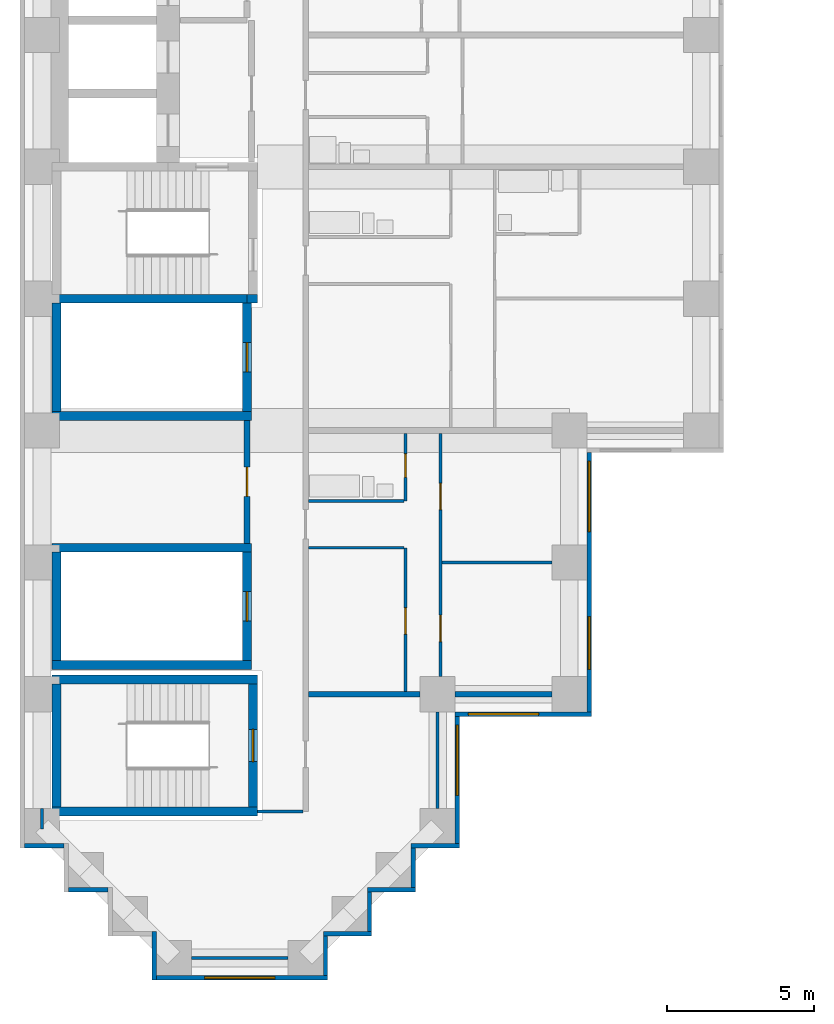
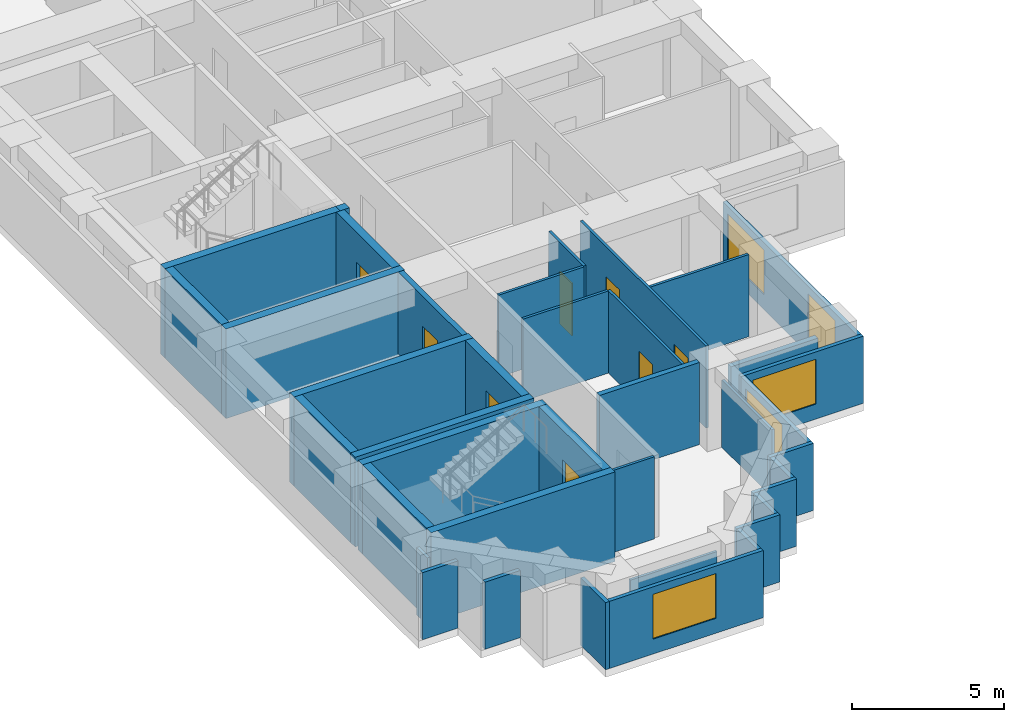
# One storey, part 2 of 11: 39 walls, 8 doors, 5 windows, 13 openings.
"""IFC4 building model written with IfcOpenShell, lengths in metres."""

from ifc_helpers import new_model, si_unit, direction, frame, frame_2d, origin, place, context, subcontext, project, spatial, rectangle, extrude, material, layer, layer_set, type_object, element, fill, save


model = new_model("IFC4")

# Units and contexts
model_context = context("Model", 3, precision=1e-05, world=origin(), true_north=direction((0.0, 1.0)))
body_context = subcontext(model_context, "Body", "Model", "MODEL_VIEW")
ifc_project = project(units=[si_unit("LENGTHUNIT", "METRE"), si_unit("AREAUNIT", "SQUARE_METRE"), si_unit("VOLUMEUNIT", "CUBIC_METRE"), si_unit("PLANEANGLEUNIT", "RADIAN"), si_unit("MASSUNIT", "GRAM", prefix="KILO")], contexts=[model_context])

# Site, building, storey
site_placement = place(None, origin())
site = spatial("IfcSite", under=ifc_project, at=site_placement, CompositionType="ELEMENT")
building_placement = place(site_placement, origin())
building = spatial("IfcBuilding", under=site, at=building_placement, Name="Firuza Court", CompositionType="ELEMENT")
storey_placement = place(building_placement, frame((0.0, 0.0, 57.800048828125)))
storey = spatial("IfcBuildingStorey", under=building, at=storey_placement, Name="L13", CompositionType="ELEMENT", Elevation=57.800048828125)

# Walls
ifc_material_1 = material(Name="Moisture-resistant gypsum board partition")
ifc_layer_1 = layer(ifc_material_1, 0.10009765625)
ifc_layer_set_1 = layer_set([ifc_layer_1], Name="Moisture-resistant gypsum board partition")
wall_type_1 = type_object("IfcWallType", Name="Bathroom partition 100", PredefinedType="PLUMBINGWALL", material=ifc_layer_set_1)
wall_1_placement = place(storey_placement, frame((9.10009765625, 15.60009765625, 0.0), z_axis=(0.0, 0.0, 1.0), x_axis=(1.0, 0.0, 0.0)))
element("IfcWall", 1, at=wall_1_placement, inside=storey, type_object=wall_type_1, Name="Bathroom partition 100 L13", PredefinedType="PLUMBINGWALL", context=body_context, shape_type="SweptSolid", body=[
    extrude(rectangle(XDim=3.25, YDim=0.10009765625, at=frame_2d((1.625, 0.0))), origin(), (0.0, 0.0, 1.0), 3.300048828125),
])
ifc_material_2 = material(Name="Concrete C60/75", Category="concrete")
ifc_layer_2 = layer(ifc_material_2, 0.300048828125)
ifc_layer_set_2 = layer_set([ifc_layer_2], Name="Concrete C60/75")
wall_type_2 = type_object("IfcWallType", Name="Core wall 300 C60/75", PredefinedType="SHEAR", material=ifc_layer_set_2)
for number, where, z_axis, x_axis, name in (
    (2, (0.35009765625, 5.0, -0.300048828125), (0.0, 0.0, 1.0), (1.0, 0.0, 0.0), "Core wall stair L13"),
    (3, (0.35009765625, 9.5, -0.300048828125), (0.0, 0.0, 1.0), (1.0, 0.0, 0.0), "Core wall stair L13"),
):
    element("IfcWall", number, at=place(storey_placement, frame(where, z_axis=z_axis, x_axis=x_axis)), inside=storey, type_object=wall_type_2, Name=name, PredefinedType="SHEAR", context=body_context, shape_type="SweptSolid", body=[
        extrude(rectangle(XDim=7.0, YDim=0.300048828125, at=frame_2d((3.5, 0.0))), origin(), (0.0, 0.0, 1.0), 3.60009765625),
    ])
for number, where, z_axis, x_axis, name in (
    (4, (0.35009765625, 10.0, -0.300048828125), (0.0, 0.0, 1.0), (1.0, 0.0, 0.0), "Core wall riser L13"),
    (5, (0.35009765625, 14.0, -0.300048828125), (0.0, 0.0, 1.0), (1.0, 0.0, 0.0), "Core wall riser L13"),
    (6, (0.35009765625, 18.5, -0.300048828125), (0.0, 0.0, 1.0), (1.0, 0.0, 0.0), "Core wall riser L13"),
):
    element("IfcWall", number, at=place(storey_placement, frame(where, z_axis=z_axis, x_axis=x_axis)), inside=storey, type_object=wall_type_2, Name=name, PredefinedType="SHEAR", context=body_context, shape_type="SweptSolid", body=[
        extrude(rectangle(XDim=6.7998046875, YDim=0.300048828125, at=frame_2d((3.39990234375, 0.0))), origin(), (0.0, 0.0, 1.0), 3.60009765625),
    ])
wall_2_placement = place(storey_placement, frame((0.35009765625, 22.5, -0.300048828125), z_axis=(0.0, 0.0, 1.0), x_axis=(1.0, 0.0, 0.0)))
element("IfcWall", 7, at=wall_2_placement, inside=storey, type_object=wall_type_2, Name="Core wall riser L13", PredefinedType="SHEAR", context=body_context, shape_type="SweptSolid", body=[
    extrude(rectangle(XDim=6.64990234375, YDim=0.300048828125, at=frame_2d((3.324951171875, 0.0))), origin(), (0.0, 0.0, 1.0), 3.60009765625),
])
wall_3_placement = place(storey_placement, frame((0.5, 5.14990234375, -0.300048828125), z_axis=(0.0, 0.0, 1.0), x_axis=(0.0, 1.0, 0.0)))
element("IfcWall", 8, at=wall_3_placement, inside=storey, type_object=wall_type_2, Name="Core wall stair L13", PredefinedType="SHEAR", context=body_context, shape_type="SweptSolid", body=[
    extrude(rectangle(XDim=4.2001953125, YDim=0.300048828125, at=frame_2d((2.10009765625, 0.0))), origin(), (0.0, 0.0, 1.0), 3.60009765625),
])
for number, where, z_axis, x_axis, name in (
    (9, (0.5, 10.14990234375, -0.300048828125), (0.0, 0.0, 1.0), (0.0, 1.0, 0.0), "Core wall riser L13"),
    (10, (0.5, 18.64990234375, -0.300048828125), (0.0, 0.0, 1.0), (0.0, 1.0, 0.0), "Core wall riser L13"),
):
    element("IfcWall", number, at=place(storey_placement, frame(where, z_axis=z_axis, x_axis=x_axis)), inside=storey, type_object=wall_type_2, Name=name, PredefinedType="SHEAR", context=body_context, shape_type="SweptSolid", body=[
        extrude(rectangle(XDim=3.7001953125, YDim=0.300048828125, at=frame_2d((1.85009765625, 0.0))), origin(), (0.0, 0.0, 1.0), 3.60009765625),
    ])

# Wall, opening, door
wall_4_placement = place(storey_placement, frame((7.0, 10.14990234375, -0.300048828125), z_axis=(0.0, 0.0, 1.0), x_axis=(0.0, 1.0, 0.0)))
wall_4 = element("IfcWall", 11, at=wall_4_placement, inside=storey, type_object=wall_type_2, Name="Core wall riser L13", PredefinedType="SHEAR", context=body_context, shape_type="SweptSolid", body=[
    extrude(rectangle(XDim=3.7001953125, YDim=0.300048828125, at=frame_2d((1.85009765625, 0.0))), origin(), (0.0, 0.0, 1.0), 3.60009765625),
])
opening_1_placement = place(wall_4_placement, frame((1.35009765625, 0.0, 0.300048828125)))
opening_1 = element("IfcOpeningElement", 12, at=opening_1_placement, cuts=wall_4, Name="Opening D13012", PredefinedType="OPENING", context=body_context, shape_type="SweptSolid", body=[
    extrude(rectangle(XDim=1.0, YDim=2.10009765625, at=frame_2d((0.5, 1.050048828125))), frame((0.0, 0.162109375, 0.0), z_axis=(0.0, -1.0, 0.0), x_axis=(1.0, 0.0, 0.0)), (0.0, 0.0, 1.0), 0.323974609375),
])
ifc_material_3 = material(Name="Timber door leaf in hardwood frame", Category="wood")
door_type_1 = type_object("IfcDoorType", Name="Riser door 1000", OperationType="SINGLE_SWING_LEFT", PredefinedType="DOOR", material=ifc_material_3)
door_1_placement = place(opening_1_placement, origin())
door_1 = element("IfcDoor", 13, at=door_1_placement, inside=storey, type_object=door_type_1, Name="Riser door R4", OperationType="SINGLE_SWING_LEFT", OverallHeight=2.10009765625, OverallWidth=1.0, PredefinedType="DOOR", context=body_context, shape_type="SweptSolid", body=[
    extrude(rectangle(XDim=1.0, YDim=2.10009765625, at=frame_2d((0.5, 1.050048828125))), frame((0.0, 0.02490234375, 0.0), z_axis=(0.0, -1.0, 0.0), x_axis=(1.0, 0.0, 0.0)), (0.0, 0.0, 1.0), 0.050048828125),
])
fill(opening_1, door_1)

wall_5_placement = place(storey_placement, frame((7.0, 18.64990234375, -0.300048828125), z_axis=(0.0, 0.0, 1.0), x_axis=(0.0, 1.0, 0.0)))
wall_5 = element("IfcWall", 14, at=wall_5_placement, inside=storey, type_object=wall_type_2, Name="Core wall riser L13", PredefinedType="SHEAR", context=body_context, shape_type="SweptSolid", body=[
    extrude(rectangle(XDim=3.7001953125, YDim=0.300048828125, at=frame_2d((1.85009765625, 0.0))), origin(), (0.0, 0.0, 1.0), 3.60009765625),
])
opening_2_placement = place(wall_5_placement, frame((1.35009765625, 0.0, 0.300048828125)))
opening_2 = element("IfcOpeningElement", 15, at=opening_2_placement, cuts=wall_5, Name="Opening D13010", PredefinedType="OPENING", context=body_context, shape_type="SweptSolid", body=[
    extrude(rectangle(XDim=1.0, YDim=2.10009765625, at=frame_2d((0.5, 1.050048828125))), frame((0.0, 0.162109375, 0.0), z_axis=(0.0, -1.0, 0.0), x_axis=(1.0, 0.0, 0.0)), (0.0, 0.0, 1.0), 0.323974609375),
])
door_2_placement = place(opening_2_placement, origin())
door_2 = element("IfcDoor", 16, at=door_2_placement, inside=storey, type_object=door_type_1, Name="Riser door R1", OperationType="SINGLE_SWING_LEFT", OverallHeight=2.10009765625, OverallWidth=1.0, PredefinedType="DOOR", context=body_context, shape_type="SweptSolid", body=[
    extrude(rectangle(XDim=1.0, YDim=2.10009765625, at=frame_2d((0.5, 1.050048828125))), frame((0.0, 0.02490234375, 0.0), z_axis=(0.0, -1.0, 0.0), x_axis=(1.0, 0.0, 0.0)), (0.0, 0.0, 1.0), 0.050048828125),
])
fill(opening_2, door_2)

# Wall
wall_6_placement = place(storey_placement, frame((7.0, 22.5, -0.300048828125), z_axis=(0.0, 0.0, 1.0), x_axis=(1.0, 0.0, 0.0)))
element("IfcWall", 17, at=wall_6_placement, inside=storey, type_object=wall_type_2, Name="Core wall stair L13", PredefinedType="SHEAR", context=body_context, shape_type="SweptSolid", body=[
    extrude(rectangle(XDim=0.35009765625, YDim=0.300048828125, at=frame_2d((0.175048828125, 0.0))), origin(), (0.0, 0.0, 1.0), 3.60009765625),
])

# Wall, opening, door
wall_7_placement = place(storey_placement, frame((7.199951171875, 5.14990234375, -0.300048828125), z_axis=(0.0, 0.0, 1.0), x_axis=(0.0, 1.0, 0.0)))
wall_7 = element("IfcWall", 18, at=wall_7_placement, inside=storey, type_object=wall_type_2, Name="Core wall stair L13", PredefinedType="SHEAR", context=body_context, shape_type="SweptSolid", body=[
    extrude(rectangle(XDim=4.2001953125, YDim=0.300048828125, at=frame_2d((2.10009765625, 0.0))), origin(), (0.0, 0.0, 1.0), 3.60009765625),
])
opening_3_placement = place(wall_7_placement, frame((1.550048828125, 0.0, 0.300048828125)))
opening_3 = element("IfcOpeningElement", 19, at=opening_3_placement, cuts=wall_7, Name="Opening D13018", PredefinedType="OPENING", context=body_context, shape_type="SweptSolid", body=[
    extrude(rectangle(XDim=1.10009765625, YDim=2.10009765625, at=frame_2d((0.550048828125, 1.050048828125))), frame((0.0, 0.162109375, 0.0), z_axis=(0.0, -1.0, 0.0), x_axis=(1.0, 0.0, 0.0)), (0.0, 0.0, 1.0), 0.323974609375),
])
ifc_material_4 = material(Name="Timber door leaf in hardwood frame", Category="wood")
door_type_2 = type_object("IfcDoorType", Name="Stair door 1100", OperationType="SINGLE_SWING_LEFT", PredefinedType="DOOR", material=ifc_material_4)
door_3_placement = place(opening_3_placement, origin())
door_3 = element("IfcDoor", 20, at=door_3_placement, inside=storey, type_object=door_type_2, Name="Stair door S5", OperationType="SINGLE_SWING_LEFT", OverallHeight=2.10009765625, OverallWidth=1.10009765625, PredefinedType="DOOR", context=body_context, shape_type="SweptSolid", body=[
    extrude(rectangle(XDim=1.10009765625, YDim=2.10009765625, at=frame_2d((0.550048828125, 1.050048828125))), frame((0.0, 0.02490234375, 0.0), z_axis=(0.0, -1.0, 0.0), x_axis=(1.0, 0.0, 0.0)), (0.0, 0.0, 1.0), 0.050048828125),
])
fill(opening_3, door_3)

ifc_material_5 = material(Name="Blockwork, plastered both sides", Category="masonry")
ifc_layer_3 = layer(ifc_material_5, 0.199951171875)
ifc_layer_set_3 = layer_set([ifc_layer_3], Name="Blockwork, plastered both sides")
wall_type_3 = type_object("IfcWallType", Name="Corridor wall 200", PredefinedType="PARTITIONING", material=ifc_layer_set_3)
wall_8_placement = place(storey_placement, frame((7.0, 14.14990234375, 0.0), z_axis=(0.0, 0.0, 1.0), x_axis=(0.0, 1.0, 0.0)))
wall_8 = element("IfcWall", 21, at=wall_8_placement, inside=storey, type_object=wall_type_3, Name="Corridor wall 200 L13", PredefinedType="PARTITIONING", context=body_context, shape_type="SweptSolid", body=[
    extrude(rectangle(XDim=4.2001953125, YDim=0.199951171875, at=frame_2d((2.10009765625, 0.0))), origin(), (0.0, 0.0, 1.0), 3.300048828125),
])
opening_4_placement = place(wall_8_placement, frame((1.60009765625, 0.0, 0.0)))
opening_4 = element("IfcOpeningElement", 22, at=opening_4_placement, cuts=wall_8, Name="Opening D13028", PredefinedType="OPENING", context=body_context, shape_type="SweptSolid", body=[
    extrude(rectangle(XDim=1.0, YDim=2.10009765625, at=frame_2d((0.5, 1.050048828125))), frame((0.0, 0.11181640625, 0.0), z_axis=(0.0, -1.0, 0.0), x_axis=(1.0, 0.0, 0.0)), (0.0, 0.0, 1.0), 0.223876953125),
])
ifc_material_6 = material(Name="Timber door leaf in hardwood frame", Category="wood")
door_type_3 = type_object("IfcDoorType", Name="Store door 1000", OperationType="SINGLE_SWING_LEFT", PredefinedType="DOOR", material=ifc_material_6)
door_4_placement = place(opening_4_placement, origin())
door_4 = element("IfcDoor", 23, at=door_4_placement, inside=storey, type_object=door_type_3, Name="Cleaner's store door", OperationType="SINGLE_SWING_LEFT", OverallHeight=2.10009765625, OverallWidth=1.0, PredefinedType="DOOR", context=body_context, shape_type="SweptSolid", body=[
    extrude(rectangle(XDim=1.0, YDim=2.10009765625, at=frame_2d((0.5, 1.050048828125))), frame((0.0, 0.02490234375, 0.0), z_axis=(0.0, -1.0, 0.0), x_axis=(1.0, 0.0, 0.0)), (0.0, 0.0, 1.0), 0.050048828125),
])
fill(opening_4, door_4)

# Walls
ifc_material_7 = material(Name="Timber stud partition, plasterboard both sides", Category="wood")
ifc_layer_4 = layer(ifc_material_7, 0.10009765625)
ifc_layer_set_4 = layer_set([ifc_layer_4], Name="Timber stud partition, plasterboard both sides")
wall_type_4 = type_object("IfcWallType", Name="Partition wall 100", PredefinedType="PARTITIONING", material=ifc_layer_set_4)
wall_9_placement = place(storey_placement, frame((5.10009765625, 0.0, 0.0), z_axis=(0.0, 0.0, 1.0), x_axis=(1.0, 0.0, 0.0)))
element("IfcWall", 24, at=wall_9_placement, inside=storey, type_object=wall_type_4, Name="Partition wall 100 L13", PredefinedType="PARTITIONING", context=body_context, shape_type="SweptSolid", body=[
    extrude(rectangle(XDim=3.2998046875, YDim=0.10009765625, at=frame_2d((1.64990234375, 0.0))), origin(), (0.0, 0.0, 1.0), 2.699951171875),
])
wall_10_placement = place(storey_placement, frame((0.0, 4.39990234375, 0.0), z_axis=(0.0, 0.0, 1.0), x_axis=(0.0, 1.0, 0.0)))
element("IfcWall", 25, at=wall_10_placement, inside=storey, type_object=wall_type_4, Name="Partition wall 100 L13", PredefinedType="PARTITIONING", context=body_context, shape_type="SweptSolid", body=[
    extrude(rectangle(XDim=0.7001953125, YDim=0.10009765625, at=frame_2d((0.35009765625, 0.0))), origin(), (0.0, 0.0, 1.0), 2.699951171875),
])
wall_11_placement = place(storey_placement, frame((7.34912109375, 5.0, 0.0), z_axis=(0.0, 0.0, 1.0), x_axis=(1.0, 0.0, 0.0)))
element("IfcWall", 26, at=wall_11_placement, inside=storey, type_object=wall_type_4, Name="Partition wall 100 L13", PredefinedType="PARTITIONING", context=body_context, shape_type="SweptSolid", body=[
    extrude(rectangle(XDim=1.55078125, YDim=0.10009765625, at=frame_2d((0.775390625, 0.0))), origin(), (0.0, 0.0, 1.0), 3.300048828125),
])
wall_12_placement = place(storey_placement, frame((13.5, 5.10009765625, 0.0), z_axis=(0.0, 0.0, 1.0), x_axis=(0.0, 1.0, 0.0)))
element("IfcWall", 27, at=wall_12_placement, inside=storey, type_object=wall_type_4, Name="Partition wall 100 L13", PredefinedType="PARTITIONING", context=body_context, shape_type="SweptSolid", body=[
    extrude(rectangle(XDim=3.2998046875, YDim=0.10009765625, at=frame_2d((1.64990234375, 0.0))), origin(), (0.0, 0.0, 1.0), 2.699951171875),
])

# Wall, opening, door
wall_13_placement = place(storey_placement, frame((12.39990234375, 9.10009765625, 0.0), z_axis=(0.0, 0.0, 1.0), x_axis=(0.0, 1.0, 0.0)))
wall_13 = element("IfcWall", 28, at=wall_13_placement, inside=storey, type_object=wall_type_4, Name="Partition wall 100 L13", PredefinedType="PARTITIONING", context=body_context, shape_type="SweptSolid", body=[
    extrude(rectangle(XDim=4.89990234375, YDim=0.10009765625, at=frame_2d((2.449951171875, 0.0))), origin(), (0.0, 0.0, 1.0), 3.300048828125),
])
opening_5_placement = place(wall_13_placement, frame((1.949951171875, 0.0, 0.0)))
opening_5 = element("IfcOpeningElement", 29, at=opening_5_placement, cuts=wall_13, Name="Opening D13025", PredefinedType="OPENING", context=body_context, shape_type="SweptSolid", body=[
    extrude(rectangle(XDim=0.89990234375, YDim=2.10009765625, at=frame_2d((0.449951171875, 1.050048828125))), frame((0.0, 0.06201171875, 0.0), z_axis=(0.0, -1.0, 0.0), x_axis=(1.0, 0.0, 0.0)), (0.0, 0.0, 1.0), 0.1240234375),
])
ifc_material_8 = material(Name="Timber door leaf in hardwood frame", Category="wood")
door_type_4 = type_object("IfcDoorType", Name="Room door 900", OperationType="SINGLE_SWING_LEFT", PredefinedType="DOOR", material=ifc_material_8)
door_5_placement = place(opening_5_placement, origin())
door_5 = element("IfcDoor", 30, at=door_5_placement, inside=storey, type_object=door_type_4, Name="Kitchen door", OperationType="SINGLE_SWING_LEFT", OverallHeight=2.10009765625, OverallWidth=0.89990234375, PredefinedType="DOOR", context=body_context, shape_type="SweptSolid", body=[
    extrude(rectangle(XDim=0.89990234375, YDim=2.10009765625, at=frame_2d((0.449951171875, 1.050048828125))), frame((0.0, 0.02490234375, 0.0), z_axis=(0.0, -1.0, 0.0), x_axis=(1.0, 0.0, 0.0)), (0.0, 0.0, 1.0), 0.050048828125),
])
fill(opening_5, door_5)

# Wall, openings, doors
wall_14_placement = place(storey_placement, frame((13.60009765625, 9.60009765625, 0.0), z_axis=(0.0, 0.0, 1.0), x_axis=(0.0, 1.0, 0.0)))
wall_14 = element("IfcWall", 31, at=wall_14_placement, inside=storey, type_object=wall_type_4, Name="Partition wall 100 L13", PredefinedType="PARTITIONING", context=body_context, shape_type="SweptSolid", body=[
    extrude(rectangle(XDim=8.2998046875, YDim=0.10009765625, at=frame_2d((4.14990234375, 0.0))), origin(), (0.0, 0.0, 1.0), 3.300048828125),
])
opening_6_placement = place(wall_14_placement, frame((1.199951171875, 0.0, 0.0)))
opening_6 = element("IfcOpeningElement", 32, at=opening_6_placement, cuts=wall_14, Name="Opening D13026", PredefinedType="OPENING", context=body_context, shape_type="SweptSolid", body=[
    extrude(rectangle(XDim=0.89990234375, YDim=2.10009765625, at=frame_2d((0.449951171875, 1.050048828125))), frame((0.0, 0.06201171875, 0.0), z_axis=(0.0, -1.0, 0.0), x_axis=(1.0, 0.0, 0.0)), (0.0, 0.0, 1.0), 0.1240234375),
])
opening_7_placement = place(wall_14_placement, frame((5.699951171875, 0.0, 0.0)))
opening_7 = element("IfcOpeningElement", 33, at=opening_7_placement, cuts=wall_14, Name="Opening D13027", PredefinedType="OPENING", context=body_context, shape_type="SweptSolid", body=[
    extrude(rectangle(XDim=0.89990234375, YDim=2.10009765625, at=frame_2d((0.449951171875, 1.050048828125))), frame((0.0, 0.06201171875, 0.0), z_axis=(0.0, -1.0, 0.0), x_axis=(1.0, 0.0, 0.0)), (0.0, 0.0, 1.0), 0.1240234375),
])
door_6_placement = place(opening_6_placement, frame((0.89990234375, 0.0, 0.0), z_axis=(0.0, 0.0, 1.0), x_axis=(-1.0, 0.0, 0.0)))
door_6 = element("IfcDoor", 34, at=door_6_placement, inside=storey, type_object=door_type_4, Name="Living room door", OperationType="SINGLE_SWING_RIGHT", OverallHeight=2.10009765625, OverallWidth=0.89990234375, PredefinedType="DOOR", context=body_context, shape_type="SweptSolid", body=[
    extrude(rectangle(XDim=0.89990234375, YDim=2.10009765625, at=frame_2d((0.449951171875, 1.050048828125))), frame((0.0, 0.02490234375, 0.0), z_axis=(0.0, -1.0, 0.0), x_axis=(1.0, 0.0, 0.0)), (0.0, 0.0, 1.0), 0.050048828125),
])
fill(opening_6, door_6)
door_7_placement = place(opening_7_placement, frame((0.89990234375, 0.0, 0.0), z_axis=(0.0, 0.0, 1.0), x_axis=(-1.0, 0.0, 0.0)))
door_7 = element("IfcDoor", 35, at=door_7_placement, inside=storey, type_object=door_type_4, Name="Bedroom door", OperationType="SINGLE_SWING_RIGHT", OverallHeight=2.10009765625, OverallWidth=0.89990234375, PredefinedType="DOOR", context=body_context, shape_type="SweptSolid", body=[
    extrude(rectangle(XDim=0.89990234375, YDim=2.10009765625, at=frame_2d((0.449951171875, 1.050048828125))), frame((0.0, 0.02490234375, 0.0), z_axis=(0.0, -1.0, 0.0), x_axis=(1.0, 0.0, 0.0)), (0.0, 0.0, 1.0), 0.050048828125),
])
fill(opening_7, door_7)

# Walls
wall_15_placement = place(storey_placement, frame((13.64990234375, 13.5, 0.0), z_axis=(0.0, 0.0, 1.0), x_axis=(1.0, 0.0, 0.0)))
element("IfcWall", 36, at=wall_15_placement, inside=storey, type_object=wall_type_4, Name="Partition wall 100 L13", PredefinedType="PARTITIONING", context=body_context, shape_type="SweptSolid", body=[
    extrude(rectangle(XDim=3.75, YDim=0.10009765625, at=frame_2d((1.875, 0.0))), origin(), (0.0, 0.0, 1.0), 3.300048828125),
])
wall_16_placement = place(storey_placement, frame((9.10009765625, 14.0, 0.0), z_axis=(0.0, 0.0, 1.0), x_axis=(1.0, 0.0, 0.0)))
element("IfcWall", 37, at=wall_16_placement, inside=storey, type_object=wall_type_4, Name="Partition wall 100 L13", PredefinedType="PARTITIONING", context=body_context, shape_type="SweptSolid", body=[
    extrude(rectangle(XDim=3.25, YDim=0.10009765625, at=frame_2d((1.625, 0.0))), origin(), (0.0, 0.0, 1.0), 3.300048828125),
])

# Wall, opening, door
wall_17_placement = place(storey_placement, frame((12.39990234375, 15.60009765625, 0.0), z_axis=(0.0, 0.0, 1.0), x_axis=(0.0, 1.0, 0.0)))
wall_17 = element("IfcWall", 38, at=wall_17_placement, inside=storey, type_object=wall_type_4, Name="Partition wall 100 L13", PredefinedType="PARTITIONING", context=body_context, shape_type="SweptSolid", body=[
    extrude(rectangle(XDim=2.2998046875, YDim=0.10009765625, at=frame_2d((1.14990234375, 0.0))), origin(), (0.0, 0.0, 1.0), 3.300048828125),
])
opening_8_placement = place(wall_17_placement, frame((0.800048828125, 0.0, 0.0)))
opening_8 = element("IfcOpeningElement", 39, at=opening_8_placement, cuts=wall_17, Name="Opening D13029", PredefinedType="OPENING", context=body_context, shape_type="SweptSolid", body=[
    extrude(rectangle(XDim=0.800048828125, YDim=2.10009765625, at=frame_2d((0.39990234375, 1.050048828125))), frame((0.0, 0.06201171875, 0.0), z_axis=(0.0, -1.0, 0.0), x_axis=(1.0, 0.0, 0.0)), (0.0, 0.0, 1.0), 0.1240234375),
])
ifc_material_9 = material(Name="Timber door leaf in hardwood frame", Category="wood")
door_type_5 = type_object("IfcDoorType", Name="Bathroom door 800", OperationType="SINGLE_SWING_LEFT", PredefinedType="DOOR", material=ifc_material_9)
door_8_placement = place(opening_8_placement, origin())
door_8 = element("IfcDoor", 40, at=door_8_placement, inside=storey, type_object=door_type_5, Name="Bathroom door", OperationType="SINGLE_SWING_LEFT", OverallHeight=2.10009765625, OverallWidth=0.800048828125, PredefinedType="DOOR", context=body_context, shape_type="SweptSolid", body=[
    extrude(rectangle(XDim=0.800048828125, YDim=2.10009765625, at=frame_2d((0.39990234375, 1.050048828125))), frame((0.0, 0.02490234375, 0.0), z_axis=(0.0, -1.0, 0.0), x_axis=(1.0, 0.0, 0.0)), (0.0, 0.0, 1.0), 0.050048828125),
])
fill(opening_8, door_8)

# Walls
ifc_layer_5 = layer(ifc_material_5, 0.199951171875)
ifc_layer_set_5 = layer_set([ifc_layer_5], Name="Blockwork, plastered both sides")
wall_type_5 = type_object("IfcWallType", Name="Party wall 200", PredefinedType="PARTITIONING", material=ifc_layer_set_5)
wall_18_placement = place(storey_placement, frame((9.10009765625, 9.0, 0.0), z_axis=(0.0, 0.0, 1.0), x_axis=(1.0, 0.0, 0.0)))
element("IfcWall", 41, at=wall_18_placement, inside=storey, type_object=wall_type_5, Name="Party wall 200 L13", PredefinedType="PARTITIONING", context=body_context, shape_type="SweptSolid", body=[
    extrude(rectangle(XDim=3.7998046875, YDim=0.199951171875, at=frame_2d((1.89990234375, 0.0))), origin(), (0.0, 0.0, 1.0), 3.300048828125),
])
wall_19_placement = place(storey_placement, frame((14.10009765625, 9.0, 0.0), z_axis=(0.0, 0.0, 1.0), x_axis=(1.0, 0.0, 0.0)))
element("IfcWall", 42, at=wall_19_placement, inside=storey, type_object=wall_type_5, Name="Party wall 200 L13", PredefinedType="PARTITIONING", context=body_context, shape_type="SweptSolid", body=[
    extrude(rectangle(XDim=3.2998046875, YDim=0.199951171875, at=frame_2d((1.64990234375, 0.0))), origin(), (0.0, 0.0, 1.0), 2.699951171875),
])
ifc_material_10 = material(Name="Ceramic tile", Category="ceramic")
ifc_layer_6 = layer(ifc_material_10, 0.02001953125)
ifc_material_11 = material(Name="Mineral wool insulation", Category="insulation")
ifc_layer_7 = layer(ifc_material_11, 0.050048828125)
ifc_material_12 = material(Name="Concrete C40/50 precast", Category="concrete")
ifc_layer_8 = layer(ifc_material_12, 0.080078125)
ifc_layer_set_6 = layer_set([ifc_layer_6, ifc_layer_7, ifc_layer_8], Name="Concrete C40/50 precast")
wall_type_6 = type_object("IfcWallType", Name="Precast cladding wall with turquoise TILE PANEL face 150", PredefinedType="STANDARD", material=ifc_layer_set_6)
wall_20_placement = place(storey_placement, frame((9.675048828125, -0.60009765625, 0.0), z_axis=(0.0, 0.0, 1.0), x_axis=(0.0, 1.0, 0.0)))
element("IfcWall", 43, at=wall_20_placement, inside=storey, type_object=wall_type_6, Name="Facade wall L13 E", PredefinedType="STANDARD", context=body_context, shape_type="SweptSolid", body=[
    extrude(rectangle(XDim=1.35009765625, YDim=0.14990234375, at=frame_2d((0.675048828125, 0.0))), origin(), (0.0, 0.0, 1.0), 2.699951171875),
])
wall_21_placement = place(storey_placement, frame((9.60009765625, 0.824951171875, 0.0), z_axis=(0.0, 0.0, 1.0), x_axis=(1.0, 0.0, 0.0)))
element("IfcWall", 44, at=wall_21_placement, inside=storey, type_object=wall_type_6, Name="Facade wall L13 S", PredefinedType="STANDARD", context=body_context, shape_type="SweptSolid", body=[
    extrude(rectangle(XDim=1.64990234375, YDim=0.14990234375, at=frame_2d((0.824951171875, 0.0))), origin(), (0.0, 0.0, 1.0), 2.699951171875),
])
wall_22_placement = place(storey_placement, frame((11.175048828125, 0.89990234375, 0.0), z_axis=(0.0, 0.0, 1.0), x_axis=(0.0, 1.0, 0.0)))
element("IfcWall", 45, at=wall_22_placement, inside=storey, type_object=wall_type_6, Name="Facade wall L13 E", PredefinedType="STANDARD", context=body_context, shape_type="SweptSolid", body=[
    extrude(rectangle(XDim=1.35009765625, YDim=0.14990234375, at=frame_2d((0.675048828125, 0.0))), origin(), (0.0, 0.0, 1.0), 2.699951171875),
])
wall_23_placement = place(storey_placement, frame((11.10009765625, 2.324951171875, 0.0), z_axis=(0.0, 0.0, 1.0), x_axis=(1.0, 0.0, 0.0)))
element("IfcWall", 46, at=wall_23_placement, inside=storey, type_object=wall_type_6, Name="Facade wall L13 S", PredefinedType="STANDARD", context=body_context, shape_type="SweptSolid", body=[
    extrude(rectangle(XDim=1.64990234375, YDim=0.14990234375, at=frame_2d((0.824951171875, 0.0))), origin(), (0.0, 0.0, 1.0), 2.699951171875),
])
wall_24_placement = place(storey_placement, frame((12.675048828125, 2.39990234375, 0.0), z_axis=(0.0, 0.0, 1.0), x_axis=(0.0, 1.0, 0.0)))
element("IfcWall", 47, at=wall_24_placement, inside=storey, type_object=wall_type_6, Name="Facade wall L13 E", PredefinedType="STANDARD", context=body_context, shape_type="SweptSolid", body=[
    extrude(rectangle(XDim=1.35009765625, YDim=0.14990234375, at=frame_2d((0.675048828125, 0.0))), origin(), (0.0, 0.0, 1.0), 2.699951171875),
])
wall_25_placement = place(storey_placement, frame((12.60009765625, 3.824951171875, 0.0), z_axis=(0.0, 0.0, 1.0), x_axis=(1.0, 0.0, 0.0)))
element("IfcWall", 48, at=wall_25_placement, inside=storey, type_object=wall_type_6, Name="Facade wall L13 S", PredefinedType="STANDARD", context=body_context, shape_type="SweptSolid", body=[
    extrude(rectangle(XDim=1.64990234375, YDim=0.14990234375, at=frame_2d((0.824951171875, 0.0))), origin(), (0.0, 0.0, 1.0), 2.699951171875),
])

# Wall, opening, window
wall_26_placement = place(storey_placement, frame((14.175048828125, 3.89990234375, 0.0), z_axis=(0.0, 0.0, 1.0), x_axis=(0.0, 1.0, 0.0)))
wall_26 = element("IfcWall", 49, at=wall_26_placement, inside=storey, type_object=wall_type_6, Name="Facade wall L13 E", PredefinedType="STANDARD", context=body_context, shape_type="SweptSolid", body=[
    extrude(rectangle(XDim=4.35009765625, YDim=0.14990234375, at=frame_2d((2.175048828125, 0.0))), origin(), (0.0, 0.0, 1.0), 2.699951171875),
])
opening_9_placement = place(wall_26_placement, frame((1.64990234375, 0.0, 0.60009765625)))
opening_9 = element("IfcOpeningElement", 50, at=opening_9_placement, cuts=wall_26, Name="Opening W1", PredefinedType="OPENING", context=body_context, shape_type="SweptSolid", body=[
    extrude(rectangle(XDim=2.39990234375, YDim=1.800048828125, at=frame_2d((1.199951171875, 0.89990234375))), frame((0.0, 0.0869140625, 0.0), z_axis=(0.0, -1.0, 0.0), x_axis=(1.0, 0.0, 0.0)), (0.0, 0.0, 1.0), 0.173828125),
])
ifc_material_13 = material(Name="Aluminium frame, triple clear glazing", Category="aluminium")
window_type_1 = type_object("IfcWindowType", Name="Window W1 2400 x 1800", PartitioningType="SINGLE_PANEL", PredefinedType="WINDOW", material=ifc_material_13)
window_1_placement = place(opening_9_placement, origin())
window_1 = element("IfcWindow", 51, at=window_1_placement, inside=storey, type_object=window_type_1, Name="Window L13", OverallHeight=1.800048828125, OverallWidth=2.39990234375, PartitioningType="SINGLE_PANEL", PredefinedType="WINDOW", context=body_context, shape_type="SweptSolid", body=[
    extrude(rectangle(XDim=2.39990234375, YDim=1.800048828125, at=frame_2d((1.199951171875, 0.89990234375))), frame((0.0, 0.030029296875, 0.0), z_axis=(0.0, -1.0, 0.0), x_axis=(1.0, 0.0, 0.0)), (0.0, 0.0, 1.0), 0.06005859375),
])
fill(opening_9, window_1)

wall_27_placement = place(storey_placement, frame((14.10009765625, 8.324951171875, 0.0), z_axis=(0.0, 0.0, 1.0), x_axis=(1.0, 0.0, 0.0)))
wall_27 = element("IfcWall", 52, at=wall_27_placement, inside=storey, type_object=wall_type_6, Name="Facade wall L13 S", PredefinedType="STANDARD", context=body_context, shape_type="SweptSolid", body=[
    extrude(rectangle(XDim=4.64990234375, YDim=0.14990234375, at=frame_2d((2.324951171875, 0.0))), origin(), (0.0, 0.0, 1.0), 2.699951171875),
])
opening_10_placement = place(wall_27_placement, frame((0.449951171875, 0.0, 0.60009765625)))
opening_10 = element("IfcOpeningElement", 53, at=opening_10_placement, cuts=wall_27, Name="Opening W1", PredefinedType="OPENING", context=body_context, shape_type="SweptSolid", body=[
    extrude(rectangle(XDim=2.39990234375, YDim=1.800048828125, at=frame_2d((1.199951171875, 0.89990234375))), frame((0.0, 0.0869140625, 0.0), z_axis=(0.0, -1.0, 0.0), x_axis=(1.0, 0.0, 0.0)), (0.0, 0.0, 1.0), 0.173828125),
])
window_2_placement = place(opening_10_placement, origin())
window_2 = element("IfcWindow", 54, at=window_2_placement, inside=storey, type_object=window_type_1, Name="Window L13", OverallHeight=1.800048828125, OverallWidth=2.39990234375, PartitioningType="SINGLE_PANEL", PredefinedType="WINDOW", context=body_context, shape_type="SweptSolid", body=[
    extrude(rectangle(XDim=2.39990234375, YDim=1.800048828125, at=frame_2d((1.199951171875, 0.89990234375))), frame((0.0, 0.030029296875, 0.0), z_axis=(0.0, -1.0, 0.0), x_axis=(1.0, 0.0, 0.0)), (0.0, 0.0, 1.0), 0.06005859375),
])
fill(opening_10, window_2)

# Wall, openings, windows
wall_28_placement = place(storey_placement, frame((18.675048828125, 8.39990234375, 0.0), z_axis=(0.0, 0.0, 1.0), x_axis=(0.0, 1.0, 0.0)))
wall_28 = element("IfcWall", 55, at=wall_28_placement, inside=storey, type_object=wall_type_6, Name="Facade wall L13 E", PredefinedType="STANDARD", context=body_context, shape_type="SweptSolid", body=[
    extrude(rectangle(XDim=8.85009765625, YDim=0.14990234375, at=frame_2d((4.425048828125, 0.0))), origin(), (0.0, 0.0, 1.0), 2.699951171875),
])
opening_11_placement = place(wall_28_placement, frame((1.447265625, 0.0, 0.60009765625)))
opening_11 = element("IfcOpeningElement", 56, at=opening_11_placement, cuts=wall_28, Name="Opening W7", PredefinedType="OPENING", context=body_context, shape_type="SweptSolid", body=[
    extrude(rectangle(XDim=1.800048828125, YDim=1.800048828125, at=frame_2d((0.89990234375, 0.89990234375))), frame((0.0, 0.0869140625, 0.0), z_axis=(0.0, -1.0, 0.0), x_axis=(1.0, 0.0, 0.0)), (0.0, 0.0, 1.0), 0.173828125),
])
opening_12_placement = place(wall_28_placement, frame((6.14990234375, 0.0, 0.60009765625)))
opening_12 = element("IfcOpeningElement", 57, at=opening_12_placement, cuts=wall_28, Name="Opening W1", PredefinedType="OPENING", context=body_context, shape_type="SweptSolid", body=[
    extrude(rectangle(XDim=2.39990234375, YDim=1.800048828125, at=frame_2d((1.199951171875, 0.89990234375))), frame((0.0, 0.0869140625, 0.0), z_axis=(0.0, -1.0, 0.0), x_axis=(1.0, 0.0, 0.0)), (0.0, 0.0, 1.0), 0.173828125),
])
window_3_placement = place(opening_12_placement, origin())
window_3 = element("IfcWindow", 58, at=window_3_placement, inside=storey, type_object=window_type_1, Name="Window L13", OverallHeight=1.800048828125, OverallWidth=2.39990234375, PartitioningType="SINGLE_PANEL", PredefinedType="WINDOW", context=body_context, shape_type="SweptSolid", body=[
    extrude(rectangle(XDim=2.39990234375, YDim=1.800048828125, at=frame_2d((1.199951171875, 0.89990234375))), frame((0.0, 0.030029296875, 0.0), z_axis=(0.0, -1.0, 0.0), x_axis=(1.0, 0.0, 0.0)), (0.0, 0.0, 1.0), 0.06005859375),
])
fill(opening_12, window_3)
ifc_material_14 = material(Name="Aluminium frame, triple clear glazing", Category="aluminium")
window_type_2 = type_object("IfcWindowType", Name="Window W7 1800 x 1800", PartitioningType="SINGLE_PANEL", PredefinedType="WINDOW", material=ifc_material_14)
window_4_placement = place(opening_11_placement, origin())
window_4 = element("IfcWindow", 59, at=window_4_placement, inside=storey, type_object=window_type_2, Name="Window L13", OverallHeight=1.800048828125, OverallWidth=1.800048828125, PartitioningType="SINGLE_PANEL", PredefinedType="WINDOW", context=body_context, shape_type="SweptSolid", body=[
    extrude(rectangle(XDim=1.800048828125, YDim=1.800048828125, at=frame_2d((0.89990234375, 0.89990234375))), frame((0.0, 0.030029296875, 0.0), z_axis=(0.0, -1.0, 0.0), x_axis=(1.0, 0.0, 0.0)), (0.0, 0.0, 1.0), 0.06005859375),
])
fill(opening_11, window_4)

# Walls
for number, where, z_axis, x_axis, name in (
    (60, (-0.60009765625, 3.824951171875, 0.0), (0.0, 0.0, 1.0), (1.0, 0.0, 0.0), "Facade wall L13 S"),
    (61, (0.89990234375, 2.324951171875, 0.0), (0.0, 0.0, 1.0), (1.0, 0.0, 0.0), "Facade wall L13 S"),
):
    element("IfcWall", number, at=place(storey_placement, frame(where, z_axis=z_axis, x_axis=x_axis)), inside=storey, type_object=wall_type_6, Name=name, PredefinedType="STANDARD", context=body_context, shape_type="SweptSolid", body=[
        extrude(rectangle(XDim=1.35009765625, YDim=0.14990234375, at=frame_2d((0.675048828125, 0.0))), origin(), (0.0, 0.0, 1.0), 2.699951171875),
    ])
wall_29_placement = place(storey_placement, frame((3.824951171875, 0.89990234375, 0.0), z_axis=(0.0, 0.0, 1.0), x_axis=(0.0, -1.0, 0.0)))
element("IfcWall", 62, at=wall_29_placement, inside=storey, type_object=wall_type_6, Name="Facade wall L13 W", PredefinedType="STANDARD", context=body_context, shape_type="SweptSolid", body=[
    extrude(rectangle(XDim=1.64990234375, YDim=0.14990234375, at=frame_2d((0.824951171875, 0.0))), origin(), (0.0, 0.0, 1.0), 2.699951171875),
])

# Wall, opening, window
wall_30_placement = place(storey_placement, frame((3.89990234375, -0.675048828125, 0.0), z_axis=(0.0, 0.0, 1.0), x_axis=(1.0, 0.0, 0.0)))
wall_30 = element("IfcWall", 63, at=wall_30_placement, inside=storey, type_object=wall_type_6, Name="Facade wall L13 S", PredefinedType="STANDARD", context=body_context, shape_type="SweptSolid", body=[
    extrude(rectangle(XDim=5.85009765625, YDim=0.14990234375, at=frame_2d((2.925048828125, 0.0))), origin(), (0.0, 0.0, 1.0), 2.699951171875),
])
opening_13_placement = place(wall_30_placement, frame((1.64990234375, 0.0, 0.60009765625)))
opening_13 = element("IfcOpeningElement", 64, at=opening_13_placement, cuts=wall_30, Name="Opening W1", PredefinedType="OPENING", context=body_context, shape_type="SweptSolid", body=[
    extrude(rectangle(XDim=2.39990234375, YDim=1.800048828125, at=frame_2d((1.199951171875, 0.89990234375))), frame((0.0, 0.0869140625, 0.0), z_axis=(0.0, -1.0, 0.0), x_axis=(1.0, 0.0, 0.0)), (0.0, 0.0, 1.0), 0.173828125),
])
window_5_placement = place(opening_13_placement, origin())
window_5 = element("IfcWindow", 65, at=window_5_placement, inside=storey, type_object=window_type_1, Name="Window L13", OverallHeight=1.800048828125, OverallWidth=2.39990234375, PartitioningType="SINGLE_PANEL", PredefinedType="WINDOW", context=body_context, shape_type="SweptSolid", body=[
    extrude(rectangle(XDim=2.39990234375, YDim=1.800048828125, at=frame_2d((1.199951171875, 0.89990234375))), frame((0.0, 0.030029296875, 0.0), z_axis=(0.0, -1.0, 0.0), x_axis=(1.0, 0.0, 0.0)), (0.0, 0.0, 1.0), 0.06005859375),
])
fill(opening_13, window_5)

save(model, "model.ifc")
